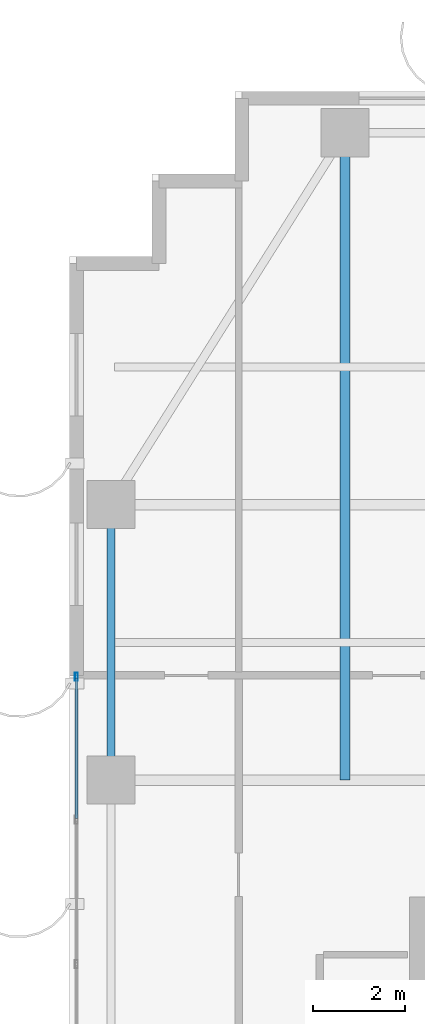
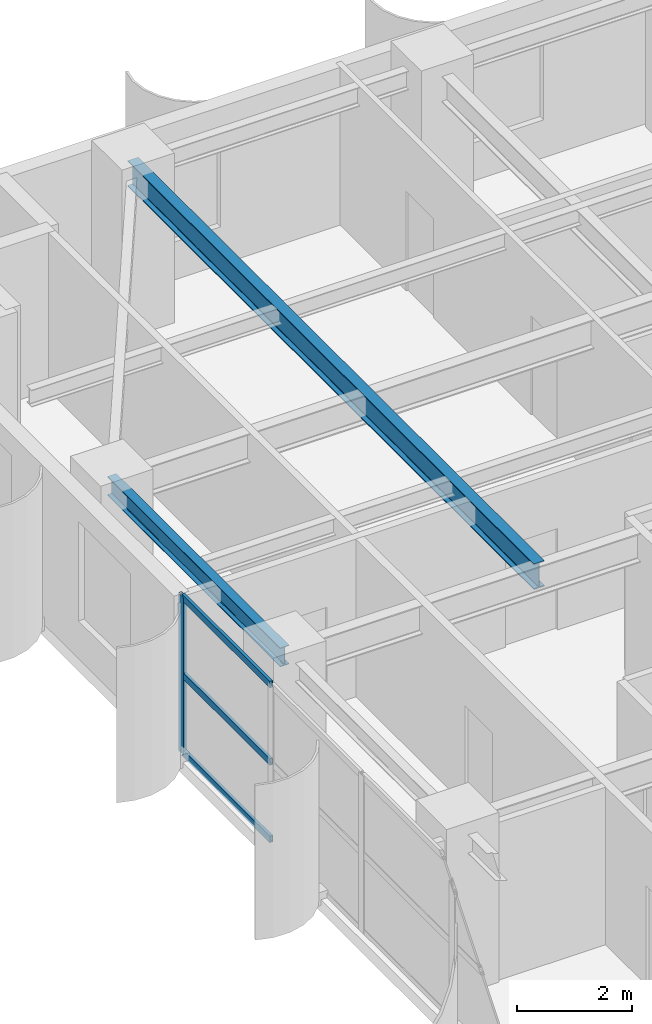
# One storey, part 9 of 23: 4 members, 2 beams, 1 element without a shape of its own.
"""IFC4 building model written with IfcOpenShell, lengths in metres."""

import ifcopenshell
import ifcopenshell.guid

model = None  # the IFC model being written
_history = None  # IfcOwnerHistory: only IFC2X3 demands one
_inside = {}  # id of a spatial element -> (the spatial element, [elements in it])
_under = {}  # id of a project, library or spatial element -> (it, [spatial elements below it])
_declared = {}  # id of a project -> (the project, [libraries it declares])
_typed = {}  # id of a type object -> (the type object, [elements of that type])
_made_of = {}  # id of a material, layer set ... -> (it, [elements and type objects made of it])


def new_model(schema):
    """Start an empty IFC model of exactly this schema.

    Asked for "IFC4X3", IfcOpenShell would pick the latest addendum, in which some entities
    have other attributes; the version numbers below select the first issue.
    IFC2X3 requires an IfcOwnerHistory on every rooted entity: one is made here for all.
    """
    global model, _history
    if schema == "IFC4X3":
        model = ifcopenshell.file(schema_version=(4, 3, 0, 0))
    else:
        model = ifcopenshell.file(schema=schema)
    _inside.clear()
    _under.clear()
    _declared.clear()
    _typed.clear()
    _made_of.clear()
    _history = None
    if model.schema == "IFC2X3":
        org = make("IfcOrganization", Name="unknown")
        user = make(
            "IfcPersonAndOrganization",
            ThePerson=make("IfcPerson", FamilyName="unknown"),
            TheOrganization=org,
        )
        app = make(
            "IfcApplication",
            ApplicationDeveloper=org,
            Version="unknown",
            ApplicationFullName="unknown",
            ApplicationIdentifier="unknown",
        )
        _history = make(
            "IfcOwnerHistory",
            OwningUser=user,
            OwningApplication=app,
            ChangeAction="ADDED",
            CreationDate=0,
        )
    return model


def make(cls, **values):
    """One entity of the class cls with the attributes given. An attribute that is None is left unset."""
    return model.create_entity(
        cls, **{name: value for name, value in values.items() if value is not None}
    )


def rooted(cls, **values):
    """An entity with a GlobalId (a new one), such as an element, a storey or a relation."""
    return make(cls, GlobalId=ifcopenshell.guid.new(), OwnerHistory=_history, **values)


def si_unit(unit_type, name, prefix=None):
    """IfcSIUnit, for example si_unit("LENGTHUNIT", "METRE", prefix="MILLI")."""
    return make("IfcSIUnit", UnitType=unit_type, Prefix=prefix, Name=name)


def assignment(units):
    """IfcUnitAssignment: the units of a project."""
    return None if units is None else make("IfcUnitAssignment", Units=units)


def point(xyz):
    """IfcCartesianPoint."""
    return None if xyz is None else make("IfcCartesianPoint", Coordinates=xyz)


def direction(xyz):
    """IfcDirection."""
    return None if xyz is None else make("IfcDirection", DirectionRatios=xyz)


def frame(location, z_axis=None, x_axis=None):
    """IfcAxis2Placement3D, a coordinate frame: its origin and axes. An axis left out is left unset."""
    return make(
        "IfcAxis2Placement3D",
        Location=point(location),
        Axis=direction(z_axis),
        RefDirection=direction(x_axis),
    )


def frame_2d(location, x_axis=None):
    """IfcAxis2Placement2D, a coordinate frame in the plane: its origin and x axis."""
    return make(
        "IfcAxis2Placement2D", Location=point(location), RefDirection=direction(x_axis)
    )


def origin():
    """The frame at (0, 0, 0) with its axes left unset."""
    return frame((0.0, 0.0, 0.0))


def origin_2d():
    """The frame at (0, 0) in the plane with its x axis left unset."""
    return frame_2d((0.0, 0.0))


def place(relative_to, where):
    """IfcLocalPlacement: puts the frame where relative to a parent placement (None: the world)."""
    return make(
        "IfcLocalPlacement", PlacementRelTo=relative_to, RelativePlacement=where
    )


def context(
    kind, dimensions, precision=None, world=None, true_north=None, identifier=None
):
    """IfcGeometricRepresentationContext, for example the 3D "Model" context."""
    return make(
        "IfcGeometricRepresentationContext",
        ContextIdentifier=identifier,
        ContextType=kind,
        CoordinateSpaceDimension=dimensions,
        Precision=precision,
        WorldCoordinateSystem=world,
        TrueNorth=true_north,
    )


def subcontext(parent, identifier, kind, view, scale=None):
    """IfcGeometricRepresentationSubContext, for example "Body" below "Model"."""
    return make(
        "IfcGeometricRepresentationSubContext",
        ContextIdentifier=identifier,
        ContextType=kind,
        ParentContext=parent,
        TargetScale=scale,
        TargetView=view,
    )


def project(units=None, contexts=None):
    """IfcProject with its units and contexts."""
    return rooted(
        "IfcProject",
        Name="project",
        RepresentationContexts=contexts,
        UnitsInContext=assignment(units),
    )


def spatial(cls, under=None, at=None, **own):
    """A site, building, storey or space (cls), placed at a placement, below another one or the project."""
    s = rooted(cls, ObjectPlacement=at, **own)
    if under is not None:
        _under.setdefault(under.id(), (under, []))[1].append(s)
    return s


def profile(cls, at=None, kind="AREA", **sizes):
    """A parametric profile (cls). Its sizes go by their IFC names, for example OverallWidth=200.0."""
    return make(cls, ProfileType=kind, Position=at, **sizes)


def hollow_rectangle(**sizes):
    """IfcRectangleHollowProfileDef."""
    return profile("IfcRectangleHollowProfileDef", **sizes)


def i_section(**sizes):
    """IfcIShapeProfileDef."""
    return profile("IfcIShapeProfileDef", **sizes)


def extrude(swept, where, along, depth):
    """IfcExtrudedAreaSolid: the profile swept, set in the frame where, extruded along a direction by depth."""
    return make(
        "IfcExtrudedAreaSolid",
        SweptArea=swept,
        Position=where,
        ExtrudedDirection=direction(along),
        Depth=depth,
    )


def shape(context_of_items, identifier, shape_type, items):
    """IfcShapeRepresentation: the items that make up one representation, for example the "Body"."""
    return make(
        "IfcShapeRepresentation",
        ContextOfItems=context_of_items,
        RepresentationIdentifier=identifier,
        RepresentationType=shape_type,
        Items=items,
    )


def source(mapping_origin, context_of_items, identifier, shape_type, items):
    """IfcRepresentationMap: a shape defined once, which mapped items show again and again."""
    return make(
        "IfcRepresentationMap",
        MappingOrigin=mapping_origin,
        MappedRepresentation=shape(context_of_items, identifier, shape_type, items),
    )


def transform(
    local_origin,
    x_axis=None,
    y_axis=None,
    z_axis=None,
    scale=None,
    scale2=None,
    scale3=None,
    uniform=True,
):
    """IfcCartesianTransformationOperator3D, or its non-uniform kind. x_axis, y_axis, z_axis: its Axis1, 2, 3."""
    if uniform:
        return make(
            "IfcCartesianTransformationOperator3D",
            Axis1=direction(x_axis),
            Axis2=direction(y_axis),
            LocalOrigin=point(local_origin),
            Scale=scale,
            Axis3=direction(z_axis),
        )
    return make(
        "IfcCartesianTransformationOperator3DnonUniform",
        Axis1=direction(x_axis),
        Axis2=direction(y_axis),
        LocalOrigin=point(local_origin),
        Scale=scale,
        Axis3=direction(z_axis),
        Scale2=scale2,
        Scale3=scale3,
    )


def mapped(mapping_source, mapping_target):
    """IfcMappedItem: shows the shape of a source again, moved by a transform."""
    return make(
        "IfcMappedItem", MappingSource=mapping_source, MappingTarget=mapping_target
    )


def material(Name=None, Category=None):
    """IfcMaterial."""
    return make("IfcMaterial", Name=Name, Category=Category)


def layer(
    of_material, thickness, ventilated=None, Name=None, Category=None, Priority=None
):
    """IfcMaterialLayer: one layer of a wall or slab, of a material (None: an air gap)."""
    return make(
        "IfcMaterialLayer",
        Material=of_material,
        LayerThickness=thickness,
        IsVentilated=ventilated,
        Name=Name,
        Category=Category,
        Priority=Priority,
    )


def layer_set(layers, Name=None):
    """IfcMaterialLayerSet."""
    return make("IfcMaterialLayerSet", MaterialLayers=layers, LayerSetName=Name)


def material_profile(
    of_material, cross_section, Name=None, Category=None, Priority=None
):
    """IfcMaterialProfile: a cross section and its material."""
    return make(
        "IfcMaterialProfile",
        Name=Name,
        Material=of_material,
        Profile=cross_section,
        Priority=Priority,
        Category=Category,
    )


def profile_set(profiles, Name=None, composite=None):
    """IfcMaterialProfileSet."""
    return make(
        "IfcMaterialProfileSet",
        Name=Name,
        MaterialProfiles=profiles,
        CompositeProfile=composite,
    )


def made_of(thing, what):
    """Note that an element or type object is made of a material, layer set ...; save() writes the relation."""
    if what is not None:
        _made_of.setdefault(what.id(), (what, []))[1].append(thing)
    return thing


def type_object(cls, material=None, **own):
    """A type object (cls), such as IfcWallType, which elements share."""
    return made_of(rooted(cls, **own), material)


def element(
    cls,
    number,
    at=None,
    inside=None,
    cuts=None,
    type_object=None,
    material=None,
    context=None,
    identifier="Body",
    shape_type=None,
    held_by="IfcProductDefinitionShape",
    body=None,
    shapes=None,
    **own,
):
    """One element of the class cls, such as IfcWall. Its Tag is "e" and its number.

    at: its placement. inside: the storey or other place that contains it. cuts: it is an
    opening in that element (IfcRelVoidsElement). A single representation is given by context,
    identifier, shape_type and body (its items); several are given by shapes. held_by: the class
    of the entity that holds the representations. save() writes the other relations.
    """
    e = rooted(cls, Tag="e%d" % number, ObjectPlacement=at, **own)
    if body is not None:
        shapes = [shape(context, identifier, shape_type, body)]
    if shapes is not None:
        e.Representation = make(held_by, Representations=shapes)
    if inside is not None:
        _inside.setdefault(inside.id(), (inside, []))[1].append(e)
    if cuts is not None:
        rooted(
            "IfcRelVoidsElement", RelatingBuildingElement=cuts, RelatedOpeningElement=e
        )
    if type_object is not None:
        _typed.setdefault(type_object.id(), (type_object, []))[1].append(e)
    return made_of(e, material)


def aggregate(whole, parts):
    """IfcRelAggregates: a whole, such as a stair, and the parts it consists of."""
    return rooted("IfcRelAggregates", RelatingObject=whole, RelatedObjects=parts)


def save(model, path):
    """Write the relations noted so far, then the file.

    IfcRelAggregates (storeys below a building ...), IfcRelContainedInSpatialStructure (elements
    in a storey), IfcRelDefinesByType, IfcRelAssociatesMaterial and IfcRelDeclares: one each for
    every whole, place, type object, material and project.
    """
    for whole, parts in _under.values():
        aggregate(whole, parts)
    for where, things in _inside.values():
        rooted(
            "IfcRelContainedInSpatialStructure",
            RelatedElements=things,
            RelatingStructure=where,
        )
    for kind, things in _typed.values():
        rooted("IfcRelDefinesByType", RelatedObjects=things, RelatingType=kind)
    for what, things in _made_of.values():
        rooted("IfcRelAssociatesMaterial", RelatedObjects=things, RelatingMaterial=what)
    for by, libraries in _declared.values():
        rooted("IfcRelDeclares", RelatingContext=by, RelatedDefinitions=libraries)
    model.write(path)


model = new_model("IFC4")

# Units and contexts
model_context = context("Model", 3, precision=1e-05, world=origin(), true_north=direction((0.0, 1.0)))
body_context = subcontext(model_context, "Body", "Model", "MODEL_VIEW")
ifc_project = project(units=[si_unit("LENGTHUNIT", "METRE"), si_unit("AREAUNIT", "SQUARE_METRE"), si_unit("VOLUMEUNIT", "CUBIC_METRE"), si_unit("PLANEANGLEUNIT", "RADIAN"), si_unit("MASSUNIT", "GRAM", prefix="KILO")], contexts=[model_context])

# Site, building, storey
site_placement = place(None, origin())
site = spatial("IfcSite", under=ifc_project, at=site_placement, CompositionType="ELEMENT")
building_placement = place(site_placement, origin())
building = spatial("IfcBuilding", under=site, at=building_placement, Name="Khoralis Quay Care Tower", CompositionType="ELEMENT")
storey_placement = place(building_placement, frame((0.0, 0.0, 119.699951171875)))
storey = spatial("IfcBuildingStorey", under=building, at=storey_placement, Name="L31", CompositionType="ELEMENT", Elevation=119.699951171875)

# Beams
ifc_material_1 = material(Name="Steel S355", Category="steel")
ifc_material_profile_1 = material_profile(ifc_material_1, i_section(OverallWidth=0.179931640625, OverallDepth=0.39990234375, WebThickness=0.008544921875, FlangeThickness=0.013427734375, FilletRadius=0.02099609375, at=origin_2d()), Name="Steel S355")
ifc_profile_set_1 = profile_set([ifc_material_profile_1], Name="Steel S355")
beam_type_1 = type_object("IfcBeamType", Name="BM-IPE400", PredefinedType="SPANDREL", material=ifc_profile_set_1)
shared_shape_1 = source(origin(), body_context, "Body", "SweptSolid", [
    extrude(i_section(OverallWidth=0.179931640625, OverallDepth=0.39990234375, WebThickness=0.008544921875, FlangeThickness=0.013427734375, FilletRadius=0.02099609375, at=origin_2d()), origin(), (0.0, 0.0, 1.0), 6.0),
])
beam_1_placement = place(storey_placement, frame((0.89990234375, 30.0, 3.14013671875), z_axis=(0.0, 1.0, 0.0), x_axis=(-1.0, 0.0, 0.0)))
element("IfcBeam", 1, at=beam_1_placement, inside=storey, type_object=beam_type_1, Name="BM-TSP-L31-15", PredefinedType="SPANDREL", context=body_context, shape_type="MappedRepresentation", body=[
    mapped(shared_shape_1, transform((0.0, 0.0, 0.0), scale=1.0)),
])
ifc_material_profile_2 = material_profile(ifc_material_1, i_section(OverallWidth=0.2119140625, OverallDepth=0.5439453125, WebThickness=0.01318359375, FlangeThickness=0.021240234375, FilletRadius=0.01611328125, at=origin_2d()), Name="Steel S355")
ifc_profile_set_2 = profile_set([ifc_material_profile_2], Name="Steel S355")
beam_type_2 = type_object("IfcBeamType", Name="BM-W530X123", PredefinedType="BEAM", material=ifc_profile_set_2)
shared_shape_2 = source(origin(), body_context, "Body", "SweptSolid", [
    extrude(i_section(OverallWidth=0.2119140625, OverallDepth=0.5439453125, WebThickness=0.01318359375, FlangeThickness=0.021240234375, FilletRadius=0.01611328125, at=origin_2d()), origin(), (0.0, 0.0, 1.0), 14.10009765625),
])
beam_2_placement = place(storey_placement, frame((6.0, 30.0, 3.068115234375), z_axis=(0.0, 1.0, 0.0), x_axis=(-1.0, 0.0, 0.0)))
element("IfcBeam", 2, at=beam_2_placement, inside=storey, type_object=beam_type_2, Name="BM-TGYN-L31-60", PredefinedType="BEAM", context=body_context, shape_type="MappedRepresentation", body=[
    mapped(shared_shape_2, transform((0.0, 0.0, 0.0), scale=1.0)),
])

# Curtain wall, members
ifc_material_2 = material(Name="Pale anodised aluminium", Category="aluminium")
ifc_layer = layer(ifc_material_2, 0.169921875)
ifc_layer_set = layer_set([ifc_layer], Name="Pale anodised aluminium")
curtain_wall_type = type_object("IfcCurtainWallType", Name="CW-SYS-Z2", PredefinedType="NOTDEFINED", material=ifc_layer_set)
curtain_wall_placement = place(storey_placement, origin())
curtain_wall = element("IfcCurtainWall", 3, at=curtain_wall_placement, inside=storey, type_object=curtain_wall_type, Name="L31 Unitised Curtain Wall CW-L31-P1-E15", PredefinedType="NOTDEFINED")
ifc_material_profile_3 = material_profile(ifc_material_2, hollow_rectangle(XDim=0.06005859375, YDim=0.139892578125, WallThickness=0.00390625, at=origin_2d()), Name="Pale anodised aluminium")
ifc_profile_set_3 = profile_set([ifc_material_profile_3], Name="Pale anodised aluminium")
member_type_1 = type_object("IfcMemberType", Name="CW-TRN-140", PredefinedType="USERDEFINED", material=ifc_profile_set_3)
shared_shape_3 = source(origin(), body_context, "Body", "SweptSolid", [
    extrude(hollow_rectangle(XDim=0.06005859375, YDim=0.139892578125, WallThickness=0.00390625, at=origin_2d()), origin(), (0.0, 0.0, 1.0), 3.054931640625),
])
member_1_placement = place(storey_placement, frame((0.14990234375, 32.219970703125, 0.030029296875), z_axis=(0.0, -1.0, 0.0), x_axis=(1.0, 0.0, 0.0)))
member_1 = element("IfcMember", 4, at=member_1_placement, type_object=member_type_1, Name="CW2 transom 1.1", ObjectType="TRANSOM", PredefinedType="USERDEFINED", context=body_context, shape_type="MappedRepresentation", body=[
    mapped(shared_shape_3, transform((0.0, 0.0, 0.0), scale=1.0)),
])
member_2_placement = place(storey_placement, frame((0.14990234375, 32.219970703125, 1.670166015625), z_axis=(0.0, -1.0, 0.0), x_axis=(1.0, 0.0, 0.0)))
member_2 = element("IfcMember", 5, at=member_2_placement, type_object=member_type_1, Name="CW2 transom 1.2", ObjectType="TRANSOM", PredefinedType="USERDEFINED", context=body_context, shape_type="MappedRepresentation", body=[
    mapped(shared_shape_3, transform((0.0, 0.0, 0.0), scale=1.0)),
])
member_3_placement = place(storey_placement, frame((0.14990234375, 32.219970703125, 3.31005859375), z_axis=(0.0, -1.0, 0.0), x_axis=(1.0, 0.0, 0.0)))
member_3 = element("IfcMember", 6, at=member_3_placement, type_object=member_type_1, Name="CW2 transom 1.3", ObjectType="TRANSOM", PredefinedType="USERDEFINED", context=body_context, shape_type="MappedRepresentation", body=[
    mapped(shared_shape_3, transform((0.0, 0.0, 0.0), scale=1.0)),
])
ifc_material_profile_4 = material_profile(ifc_material_2, hollow_rectangle(XDim=0.06494140625, YDim=0.179931640625, WallThickness=0.00390625, at=origin_2d()), Name="Pale anodised aluminium")
ifc_profile_set_4 = profile_set([ifc_material_profile_4], Name="Pale anodised aluminium")
member_type_2 = type_object("IfcMemberType", Name="CW-MUL-180", PredefinedType="MULLION", material=ifc_profile_set_4)
shared_shape_4 = source(origin(), body_context, "Body", "SweptSolid", [
    extrude(hollow_rectangle(XDim=0.06494140625, YDim=0.179931640625, WallThickness=0.00390625, at=origin_2d()), origin(), (0.0, 0.0, 1.0), 3.340087890625),
])
member_4_placement = place(storey_placement, frame((0.14990234375, 32.25, 0.0), z_axis=(0.0, 0.0, 1.0), x_axis=(1.0, 0.0, 0.0)))
member_4 = element("IfcMember", 7, at=member_4_placement, type_object=member_type_2, Name="CW2 mullion 1", PredefinedType="MULLION", context=body_context, shape_type="MappedRepresentation", body=[
    mapped(shared_shape_4, transform((0.0, 0.0, 0.0), scale=1.0)),
])
aggregate(curtain_wall, [member_4, member_1, member_2, member_3])

save(model, "model.ifc")
